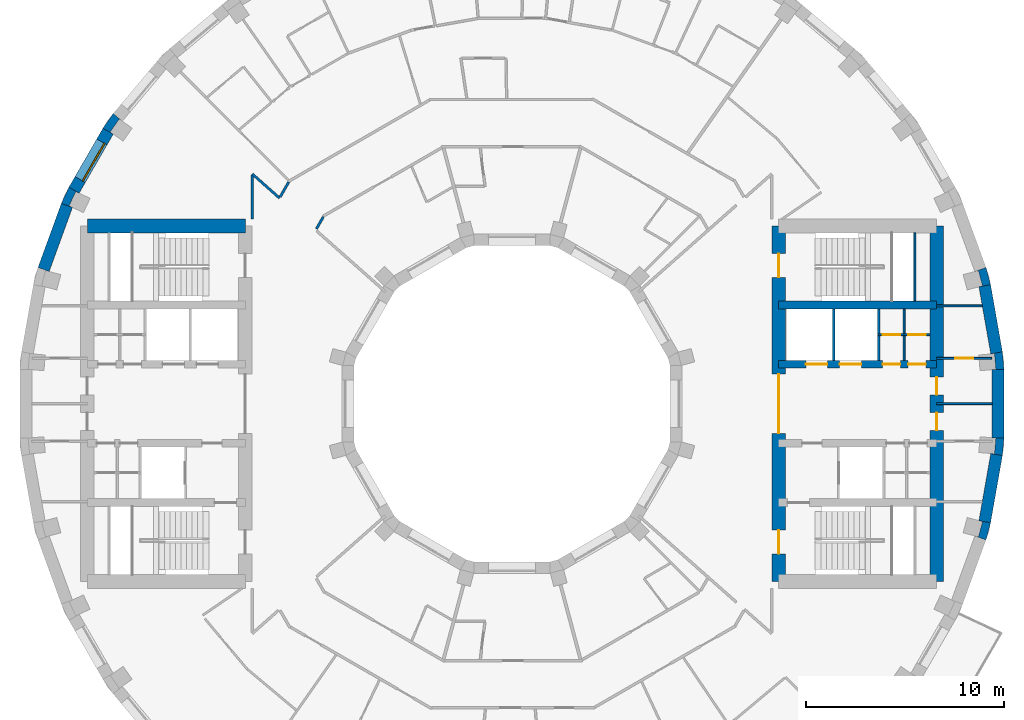
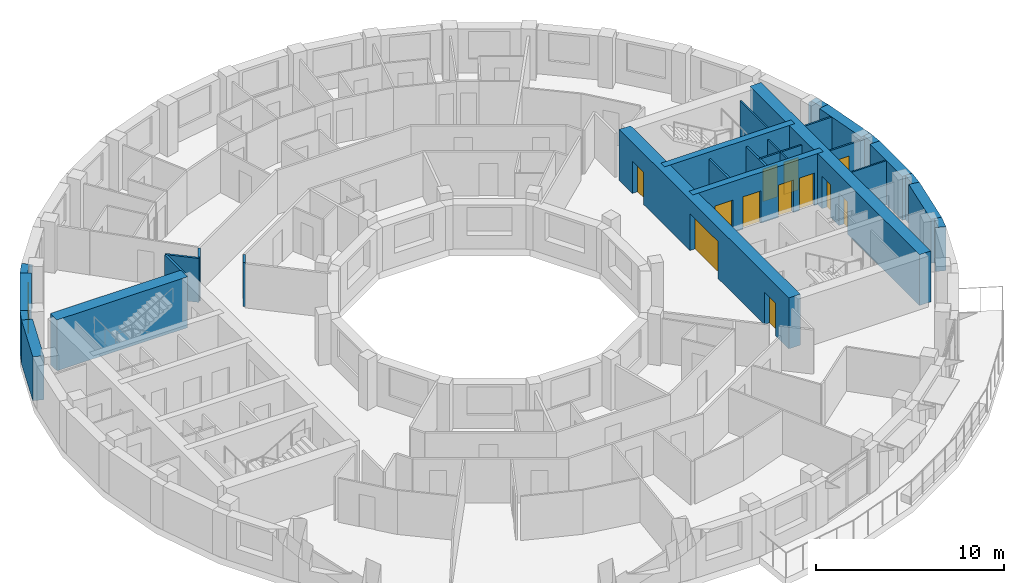
# One storey, part 10 of 15: 29 walls, 12 doors, 1 window, 13 openings.
"""IFC4 building model written with IfcOpenShell, lengths in metres."""

from ifc_helpers import new_model, si_unit, direction, frame, frame_2d, origin, place, context, subcontext, project, spatial, polyline, rectangle, outline, extrude, material, layer, layer_set, type_object, element, fill, save


model = new_model("IFC4")

# Units and contexts
model_context = context("Model", 3, precision=1e-05, world=origin(), true_north=direction((0.0, 1.0)))
body_context = subcontext(model_context, "Body", "Model", "MODEL_VIEW")
ifc_project = project(units=[si_unit("LENGTHUNIT", "METRE"), si_unit("AREAUNIT", "SQUARE_METRE"), si_unit("VOLUMEUNIT", "CUBIC_METRE"), si_unit("PLANEANGLEUNIT", "RADIAN"), si_unit("MASSUNIT", "GRAM", prefix="KILO")], contexts=[model_context])

# Site, building, storey
site_placement = place(None, origin())
site = spatial("IfcSite", under=ifc_project, at=site_placement, CompositionType="ELEMENT")
building_placement = place(site_placement, origin())
building = spatial("IfcBuilding", under=site, at=building_placement, Name="Saqina Gate Tower", CompositionType="ELEMENT")
storey_placement = place(building_placement, frame((0.0, 0.0, 160.800048828125)))
storey = spatial("IfcBuildingStorey", under=building, at=storey_placement, Name="L45", CompositionType="ELEMENT", Elevation=160.800048828125)

# Walls
ifc_material_1 = material(Name="Brick masonry (buff)", Category="masonry")
wall_type_1 = type_object("IfcWallType", Name="BRICK PIER COPING BUFF", PredefinedType="SOLIDWALL", material=ifc_material_1)
wall_1_placement = place(storey_placement, origin())
element("IfcWall", 1, at=wall_1_placement, inside=storey, type_object=wall_type_1, Name="Pier cap L45 column 1", PredefinedType="SOLIDWALL", context=body_context, shape_type="SweptSolid", body=[
    extrude(outline(polyline([(24.90478515625, 1.724853515625), (24.825927734375, 2.6259765625), (24.235107421875, 2.521728515625), (24.421630859375, 2.5380859375), (24.491455078125, 1.7412109375), (24.304931640625, 1.724853515625), (24.90478515625, 1.724853515625)])), origin(), (0.0, 0.0, 1.0), 2.849853515625),
])
wall_2_placement = place(storey_placement, origin())
element("IfcWall", 2, at=wall_2_placement, inside=storey, type_object=wall_type_1, Name="Pier cap L45 column 2", PredefinedType="SOLIDWALL", context=body_context, shape_type="SweptSolid", body=[
    extrude(outline(polyline([(24.22705078125, 6.0234375), (23.992919921875, 6.897216796875), (23.428955078125, 6.69189453125), (23.610107421875, 6.740478515625), (23.81689453125, 5.967529296875), (23.635986328125, 5.919189453125), (24.22705078125, 6.0234375)])), origin(), (0.0, 0.0, 1.0), 2.849853515625),
])
wall_3_placement = place(storey_placement, origin())
element("IfcWall", 3, at=wall_3_placement, inside=storey, type_object=wall_type_1, Name="Pier cap L45 column 15", PredefinedType="SOLIDWALL", context=body_context, shape_type="SweptSolid", body=[
    extrude(outline(polyline([(-20.18701171875, 14.687255859375), (-20.705810546875, 13.9462890625), (-20.186279296875, 13.646240234375), (-20.339599609375, 13.753662109375), (-19.880859375, 14.408935546875), (-19.727294921875, 14.301513671875), (-20.18701171875, 14.687255859375)])), origin(), (0.0, 0.0, 1.0), 2.849853515625),
])
wall_4_placement = place(storey_placement, origin())
element("IfcWall", 4, at=wall_4_placement, inside=storey, type_object=wall_type_1, Name="Pier cap L45 column 16", PredefinedType="SOLIDWALL", context=body_context, shape_type="SweptSolid", body=[
    extrude(outline(polyline([(-22.81298828125, 10.138916015625), (-22.249267578125, 9.93359375), (-22.4189453125, 10.0126953125), (-22.080810546875, 10.73779296875), (-21.9111328125, 10.65869140625), (-22.4306640625, 10.958740234375), (-22.81298828125, 10.138916015625)])), origin(), (0.0, 0.0, 1.0), 2.849853515625),
])
wall_5_placement = place(storey_placement, origin())
element("IfcWall", 5, at=wall_5_placement, inside=storey, type_object=wall_type_1, Name="Pier cap L45 column 35", PredefinedType="SOLIDWALL", context=body_context, shape_type="SweptSolid", body=[
    extrude(outline(polyline([(24.22705078125, -6.0234375), (23.635986328125, -5.919189453125), (23.81689453125, -5.967529296875), (23.610107421875, -6.740478515625), (23.428955078125, -6.69189453125), (23.992919921875, -6.897216796875), (24.22705078125, -6.0234375)])), origin(), (0.0, 0.0, 1.0), 2.849853515625),
])
wall_6_placement = place(storey_placement, origin())
element("IfcWall", 6, at=wall_6_placement, inside=storey, type_object=wall_type_1, Name="Pier cap L45 column 36", PredefinedType="SOLIDWALL", context=body_context, shape_type="SweptSolid", body=[
    extrude(outline(polyline([(24.825927734375, -2.6259765625), (24.90478515625, -1.724853515625), (24.304931640625, -1.724853515625), (24.491455078125, -1.7412109375), (24.421630859375, -2.5380859375), (24.235107421875, -2.521728515625), (24.825927734375, -2.6259765625)])), origin(), (0.0, 0.0, 1.0), 2.849853515625),
])
ifc_material_2 = material(Name="Gypsum board on steel studs", Category="steel")
ifc_layer_1 = layer(ifc_material_2, 0.10009765625)
ifc_layer_set_1 = layer_set([ifc_layer_1], Name="CORE PARTITION")
wall_type_2 = type_object("IfcWallType", Name="CORE PARTITION", PredefinedType="PARTITIONING", material=ifc_layer_set_1)
wall_7_placement = place(storey_placement, frame((21.5, 4.949951171875, 0.0), z_axis=(0.0, 0.0, 1.0), x_axis=(1.0, 0.0, 0.0)))
element("IfcWall", 7, at=wall_7_placement, inside=storey, type_object=wall_type_2, Name="L45-CP-E01", PredefinedType="PARTITIONING", context=body_context, shape_type="SweptSolid", body=[
    extrude(rectangle(XDim=2.306884765625, YDim=0.10009765625, at=frame_2d((1.1533203125, 0.0))), origin(), (0.0, 0.0, 1.0), 2.849853515625),
])

# Wall, opening, door
wall_8_placement = place(storey_placement, frame((21.5, 2.300048828125, 0.0), z_axis=(0.0, 0.0, 1.0), x_axis=(1.0, 0.0, 0.0)))
wall_8 = element("IfcWall", 8, at=wall_8_placement, inside=storey, type_object=wall_type_2, Name="L45-CP-E02", PredefinedType="PARTITIONING", context=body_context, shape_type="SweptSolid", body=[
    extrude(rectangle(XDim=2.774169921875, YDim=0.10009765625, at=frame_2d((1.38720703125, 0.0))), origin(), (0.0, 0.0, 1.0), 2.849853515625),
])
opening_1_placement = place(wall_8_placement, frame((0.93701171875, 0.0, 0.0)))
opening_1 = element("IfcOpeningElement", 9, at=opening_1_placement, cuts=wall_8, Name="Opening G13-D95", PredefinedType="OPENING", context=body_context, shape_type="SweptSolid", body=[
    extrude(rectangle(XDim=0.89990234375, YDim=2.10009765625, at=frame_2d((0.449951171875, 1.050048828125))), frame((0.0, 0.06201171875, 0.0), z_axis=(0.0, -1.0, 0.0), x_axis=(1.0, 0.0, 0.0)), (0.0, 0.0, 1.0), 0.1240234375),
])
ifc_material_3 = material(Name="Steel-framed fire door leaf, EI 60", Category="steel")
door_type_1 = type_object("IfcDoorType", Name="SERVICE ROOM DOOR 900", OperationType="SINGLE_SWING_LEFT", PredefinedType="DOOR", material=ifc_material_3)
door_1_placement = place(opening_1_placement, origin())
door_1 = element("IfcDoor", 10, at=door_1_placement, inside=storey, type_object=door_type_1, Name="L45-CD-E06", OperationType="SINGLE_SWING_LEFT", OverallHeight=2.10009765625, OverallWidth=0.89990234375, PredefinedType="DOOR", context=body_context, shape_type="SweptSolid", body=[
    extrude(rectangle(XDim=0.89990234375, YDim=2.10009765625, at=frame_2d((0.449951171875, 1.050048828125))), frame((0.0, 0.02490234375, 0.0), z_axis=(0.0, -1.0, 0.0), x_axis=(1.0, 0.0, 0.0)), (0.0, 0.0, 1.0), 0.050048828125),
])
fill(opening_1, door_1)

# Walls
wall_9_placement = place(storey_placement, frame((21.5, 0.0, 0.0), z_axis=(0.0, 0.0, 1.0), x_axis=(1.0, 0.0, 0.0)))
element("IfcWall", 11, at=wall_9_placement, inside=storey, type_object=wall_type_2, Name="L45-CP-E05", PredefinedType="PARTITIONING", context=body_context, shape_type="SweptSolid", body=[
    extrude(rectangle(XDim=2.804931640625, YDim=0.10009765625, at=frame_2d((1.40234375, 0.0))), origin(), (0.0, 0.0, 1.0), 2.849853515625),
])
wall_10_placement = place(storey_placement, frame((19.85498046875, 2.199951171875, 0.0), z_axis=(0.0, 0.0, 1.0), x_axis=(0.0, 1.0, 0.0)))
element("IfcWall", 12, at=wall_10_placement, inside=storey, type_object=wall_type_2, Name="L45-CP-E08", PredefinedType="PARTITIONING", context=body_context, shape_type="SweptSolid", body=[
    extrude(rectangle(XDim=2.60009765625, YDim=0.10009765625, at=frame_2d((1.300048828125, 0.0))), origin(), (0.0, 0.0, 1.0), 2.849853515625),
])

# Wall, opening, door
wall_11_placement = place(storey_placement, frame((18.56005859375, 3.5, 0.0), z_axis=(0.0, 0.0, 1.0), x_axis=(1.0, 0.0, 0.0)))
wall_11 = element("IfcWall", 13, at=wall_11_placement, inside=storey, type_object=wall_type_2, Name="L45-CP-E12", PredefinedType="PARTITIONING", context=body_context, shape_type="SweptSolid", body=[
    extrude(rectangle(XDim=1.294921875, YDim=0.10009765625, at=frame_2d((0.6474609375, 0.0))), origin(), (0.0, 0.0, 1.0), 2.849853515625),
])
opening_2_placement = place(wall_11_placement, frame((0.197509765625, 0.0, 0.0)))
opening_2 = element("IfcOpeningElement", 14, at=opening_2_placement, cuts=wall_11, Name="Opening G13-D99", PredefinedType="OPENING", context=body_context, shape_type="SweptSolid", body=[
    extrude(rectangle(XDim=0.89990234375, YDim=2.10009765625, at=frame_2d((0.449951171875, 1.050048828125))), frame((0.0, 0.06201171875, 0.0), z_axis=(0.0, -1.0, 0.0), x_axis=(1.0, 0.0, 0.0)), (0.0, 0.0, 1.0), 0.1240234375),
])
door_2_placement = place(opening_2_placement, origin())
door_2 = element("IfcDoor", 15, at=door_2_placement, inside=storey, type_object=door_type_1, Name="L45-CD-E10", OperationType="SINGLE_SWING_LEFT", OverallHeight=2.10009765625, OverallWidth=0.89990234375, PredefinedType="DOOR", context=body_context, shape_type="SweptSolid", body=[
    extrude(rectangle(XDim=0.89990234375, YDim=2.10009765625, at=frame_2d((0.449951171875, 1.050048828125))), frame((0.0, 0.02490234375, 0.0), z_axis=(0.0, -1.0, 0.0), x_axis=(1.0, 0.0, 0.0)), (0.0, 0.0, 1.0), 0.050048828125),
])
fill(opening_2, door_2)

wall_12_placement = place(storey_placement, frame((19.85498046875, 3.5, 0.0), z_axis=(0.0, 0.0, 1.0), x_axis=(1.0, 0.0, 0.0)))
wall_12 = element("IfcWall", 16, at=wall_12_placement, inside=storey, type_object=wall_type_2, Name="L45-CP-E13", PredefinedType="PARTITIONING", context=body_context, shape_type="SweptSolid", body=[
    extrude(rectangle(XDim=1.294921875, YDim=0.10009765625, at=frame_2d((0.6474609375, 0.0))), origin(), (0.0, 0.0, 1.0), 2.849853515625),
])
opening_3_placement = place(wall_12_placement, frame((0.197509765625, 0.0, 0.0)))
opening_3 = element("IfcOpeningElement", 17, at=opening_3_placement, cuts=wall_12, Name="Opening G13-D100", PredefinedType="OPENING", context=body_context, shape_type="SweptSolid", body=[
    extrude(rectangle(XDim=0.89990234375, YDim=2.10009765625, at=frame_2d((0.449951171875, 1.050048828125))), frame((0.0, 0.06201171875, 0.0), z_axis=(0.0, -1.0, 0.0), x_axis=(1.0, 0.0, 0.0)), (0.0, 0.0, 1.0), 0.1240234375),
])
door_3_placement = place(opening_3_placement, origin())
door_3 = element("IfcDoor", 18, at=door_3_placement, inside=storey, type_object=door_type_1, Name="L45-CD-E11", OperationType="SINGLE_SWING_RIGHT", OverallHeight=2.10009765625, OverallWidth=0.89990234375, PredefinedType="DOOR", context=body_context, shape_type="SweptSolid", body=[
    extrude(rectangle(XDim=0.89990234375, YDim=2.10009765625, at=frame_2d((0.449951171875, 1.050048828125))), frame((0.0, 0.02490234375, 0.0), z_axis=(0.0, -1.0, 0.0), x_axis=(1.0, 0.0, 0.0)), (0.0, 0.0, 1.0), 0.050048828125),
])
fill(opening_3, door_3)

# Wall, opening, window
ifc_material_4 = material(Name="Brick masonry (buff)", Category="masonry")
ifc_layer_2 = layer(ifc_material_4, 0.60009765625)
ifc_layer_set_2 = layer_set([ifc_layer_2], Name="FW-BRICK-BUFF")
wall_type_3 = type_object("IfcWallType", Name="FW-BRICK-BUFF", PredefinedType="SOLIDWALL", material=ifc_layer_set_2)
wall_13_placement = place(storey_placement, frame((-20.446044921875, 13.796142578125, 0.0), z_axis=(0.0, 0.0, 1.0), x_axis=(-0.499998129301, -0.86602648383, 0.0)))
wall_13 = element("IfcWall", 19, at=wall_13_placement, inside=storey, type_object=wall_type_3, Name="Facade wall L45 facet 15", PredefinedType="SOLIDWALL", context=body_context, shape_type="SweptSolid", body=[
    extrude(rectangle(XDim=3.44970703125, YDim=0.60009765625, at=frame_2d((1.724853515625, 0.0))), origin(), (0.0, 0.0, 1.0), 2.849853515625),
])
opening_4_placement = place(wall_13_placement, frame((0.625, 0.0, 0.89990234375)))
opening_4 = element("IfcOpeningElement", 20, at=opening_4_placement, cuts=wall_13, Name="Opening G13-W13", PredefinedType="OPENING", context=body_context, shape_type="SweptSolid", body=[
    extrude(rectangle(XDim=2.199951171875, YDim=1.800048828125, at=frame_2d((1.10009765625, 0.89990234375))), frame((0.0, 0.31201171875, 0.0), z_axis=(0.0, -1.0, 0.0), x_axis=(1.0, 0.0, 0.0)), (0.0, 0.0, 1.0), 0.6240234375),
])
ifc_material_5 = material(Name="Aluminium glazing", Category="aluminium")
window_type = type_object("IfcWindowType", Name="WN-C", PartitioningType="SINGLE_PANEL", PredefinedType="WINDOW", material=ifc_material_5)
window_placement = place(opening_4_placement, origin())
window = element("IfcWindow", 21, at=window_placement, inside=storey, type_object=window_type, Name="Window L45 facet 15", OverallHeight=1.800048828125, OverallWidth=2.199951171875, PartitioningType="SINGLE_PANEL", PredefinedType="WINDOW", context=body_context, shape_type="SweptSolid", body=[
    extrude(rectangle(XDim=2.199951171875, YDim=1.800048828125, at=frame_2d((1.10009765625, 0.89990234375))), frame((0.0, 0.179931640625, 0.0), z_axis=(0.0, -1.0, 0.0), x_axis=(1.0, 0.0, 0.0)), (0.0, 0.0, 1.0), 0.06005859375),
])
fill(opening_4, window)

# Walls
ifc_material_6 = material(Name="Glazed ceramic tile", Category="ceramic")
ifc_layer_3 = layer(ifc_material_6, 0.60009765625)
ifc_layer_set_3 = layer_set([ifc_layer_3], Name="FW-TILE")
wall_type_4 = type_object("IfcWallType", Name="FW-TILE", PredefinedType="SOLIDWALL", material=ifc_layer_set_3)
for number, where, z_axis, x_axis, name in (
    (22, (-22.531005859375, 10.0361328125, 0.0), (0.0, 0.0, 1.0), (-0.342032843455, -0.93968799822, 0.0), "Facade wall L45 facet 16"),
    (23, (24.60498046875, -1.724853515625, 0.0), (0.0, 0.0, 1.0), (0.0, 1.0, 0.0), "Facade wall L45 facet 36"),
):
    element("IfcWall", number, at=place(storey_placement, frame(where, z_axis=z_axis, x_axis=x_axis)), inside=storey, type_object=wall_type_4, Name=name, PredefinedType="SOLIDWALL", context=body_context, shape_type="SweptSolid", body=[
        extrude(rectangle(XDim=3.44970703125, YDim=0.60009765625, at=frame_2d((1.724853515625, 0.0))), origin(), (0.0, 0.0, 1.0), 2.849853515625),
    ])
ifc_material_7 = material(Name="Glazed ceramic tile (dark blue)", Category="ceramic")
ifc_layer_4 = layer(ifc_material_7, 0.60009765625)
ifc_layer_set_4 = layer_set([ifc_layer_4], Name="FW-TILE-CB")
wall_type_5 = type_object("IfcWallType", Name="FW-TILE-CB", PredefinedType="SOLIDWALL", material=ifc_layer_set_4)
wall_14_placement = place(storey_placement, frame((24.530517578125, 2.573974609375, 0.0), z_axis=(0.0, 0.0, 1.0), x_axis=(-0.173607684551, 0.984814892183, 0.0)))
element("IfcWall", 24, at=wall_14_placement, inside=storey, type_object=wall_type_5, Name="Facade wall L45 facet 1", PredefinedType="SOLIDWALL", context=body_context, shape_type="SweptSolid", body=[
    extrude(rectangle(XDim=3.44970703125, YDim=0.60009765625, at=frame_2d((1.724853515625, 0.0))), origin(), (0.0, 0.0, 1.0), 2.849853515625),
])
ifc_material_8 = material(Name="Glazed ceramic tile (white)", Category="ceramic")
ifc_layer_5 = layer(ifc_material_8, 0.60009765625)
ifc_layer_set_5 = layer_set([ifc_layer_5], Name="FW-TILE-WH")
wall_type_6 = type_object("IfcWallType", Name="FW-TILE-WH", PredefinedType="SOLIDWALL", material=ifc_layer_set_5)
wall_15_placement = place(storey_placement, frame((23.931640625, -5.97119140625, 0.0), z_axis=(0.0, 0.0, 1.0), x_axis=(0.173607684551, 0.984814892183, 0.0)))
element("IfcWall", 25, at=wall_15_placement, inside=storey, type_object=wall_type_6, Name="Facade wall L45 facet 35", PredefinedType="SOLIDWALL", context=body_context, shape_type="SweptSolid", body=[
    extrude(rectangle(XDim=3.44970703125, YDim=0.60009765625, at=frame_2d((1.724853515625, 0.0))), origin(), (0.0, 0.0, 1.0), 2.849853515625),
])
ifc_material_9 = material(Name="Gypsum board on steel studs, 125 mm, fire rated", Category="steel")
ifc_layer_6 = layer(ifc_material_9, 0.125)
ifc_layer_set_6 = layer_set([ifc_layer_6], Name="PARTITION EI 30 125")
wall_type_7 = type_object("IfcWallType", Name="PARTITION EI 30 125", PredefinedType="PARTITIONING", material=ifc_layer_set_6)
wall_16_placement = place(storey_placement, frame((-13.14990234375, 11.634033203125, 0.0), z_axis=(0.0, 0.0, 1.0), x_axis=(0.748920683101, -0.662659649008, 0.0)))
element("IfcWall", 26, at=wall_16_placement, inside=storey, type_object=wall_type_7, Name="PARTITION PW1-06", PredefinedType="PARTITIONING", context=body_context, shape_type="SweptSolid", body=[
    extrude(rectangle(XDim=1.842529296875, YDim=0.125, at=frame_2d((0.92138671875, 0.0))), origin(), (0.0, 0.0, 1.0), 2.849853515625),
])
wall_17_placement = place(storey_placement, frame((-9.90478515625, 8.84521484375, 0.0), z_axis=(0.0, 0.0, 1.0), x_axis=(0.499821239653, 0.866128586522, 0.0)))
element("IfcWall", 27, at=wall_17_placement, inside=storey, type_object=wall_type_7, Name="PARTITION PW1-35", PredefinedType="PARTITIONING", context=body_context, shape_type="SweptSolid", body=[
    extrude(rectangle(XDim=0.713134765625, YDim=0.125, at=frame_2d((0.3564453125, 0.0))), origin(), (0.0, 0.0, 1.0), 2.849853515625),
])
wall_18_placement = place(storey_placement, frame((-11.73681640625, 10.466064453125, 0.0), z_axis=(0.0, 0.0, 1.0), x_axis=(0.49949531882, 0.866316585595, 0.0)))
element("IfcWall", 28, at=wall_18_placement, inside=storey, type_object=wall_type_7, Name="PARTITION PW1-36", PredefinedType="PARTITIONING", context=body_context, shape_type="SweptSolid", body=[
    extrude(rectangle(XDim=0.86865234375, YDim=0.125, at=frame_2d((0.434326171875, 0.0))), origin(), (0.0, 0.0, 1.0), 2.849853515625),
])
wall_19_placement = place(storey_placement, frame((-13.14990234375, 9.35009765625, 0.0), z_axis=(0.0, 0.0, 1.0), x_axis=(0.0, 1.0, 0.0)))
element("IfcWall", 29, at=wall_19_placement, inside=storey, type_object=wall_type_7, Name="PARTITION PW1-41", PredefinedType="PARTITIONING", context=body_context, shape_type="SweptSolid", body=[
    extrude(rectangle(XDim=2.221435546875, YDim=0.125, at=frame_2d((1.11083984375, 0.0))), origin(), (0.0, 0.0, 1.0), 2.849853515625),
])
ifc_material_10 = material(Name="Autoclaved aerated concrete block", Category="concrete")
ifc_layer_7 = layer(ifc_material_10, 0.1201171875)
ifc_layer_set_7 = layer_set([ifc_layer_7], Name="SHAFT PARTITION")
wall_type_8 = type_object("IfcWallType", Name="SHAFT PARTITION", PredefinedType="PARTITIONING", material=ifc_layer_set_7)
for number, where, z_axis, x_axis, name in (
    (30, (16.280029296875, 2.199951171875, 0.0), (0.0, 0.0, 1.0), (0.0, 1.0, 0.0), "L45-CP-E06"),
    (31, (18.56005859375, 2.199951171875, 0.0), (0.0, 0.0, 1.0), (0.0, 1.0, 0.0), "L45-CP-E07"),
):
    element("IfcWall", number, at=place(storey_placement, frame(where, z_axis=z_axis, x_axis=x_axis)), inside=storey, type_object=wall_type_8, Name=name, PredefinedType="PARTITIONING", context=body_context, shape_type="SweptSolid", body=[
        extrude(rectangle(XDim=2.60009765625, YDim=0.1201171875, at=frame_2d((1.300048828125, 0.0))), origin(), (0.0, 0.0, 1.0), 2.849853515625),
    ])
ifc_material_11 = material(Name="Autoclaved aerated concrete block", Category="concrete")
ifc_layer_8 = layer(ifc_material_11, 0.10009765625)
ifc_layer_set_8 = layer_set([ifc_layer_8], Name="STAIR ENCLOSURE WALL")
wall_type_9 = type_object("IfcWallType", Name="STAIR ENCLOSURE WALL", PredefinedType="PARTITIONING", material=ifc_layer_set_8)
wall_20_placement = place(storey_placement, frame((20.389892578125, 5.199951171875, 0.0), z_axis=(0.0, 0.0, 1.0), x_axis=(0.0, 1.0, 0.0)))
element("IfcWall", 32, at=wall_20_placement, inside=storey, type_object=wall_type_9, Name="L45-CP-E16", PredefinedType="PARTITIONING", context=body_context, shape_type="SweptSolid", body=[
    extrude(rectangle(XDim=3.449951171875, YDim=0.10009765625, at=frame_2d((1.72509765625, 0.0))), origin(), (0.0, 0.0, 1.0), 2.849853515625),
])
ifc_material_12 = material(Name="Concrete C60/75", Category="concrete")
ifc_layer_9 = layer(ifc_material_12, 0.39990234375)
ifc_layer_set_9 = layer_set([ifc_layer_9], Name="Concrete C60/75")
wall_type_10 = type_object("IfcWallType", Name="STR-CORE WALL-C-I", PredefinedType="SHEAR", material=ifc_layer_set_9)
wall_21_placement = place(storey_placement, frame((13.5, 5.0, 0.0), z_axis=(0.0, 0.0, 1.0), x_axis=(1.0, 0.0, 0.0)))
element("IfcWall", 33, at=wall_21_placement, inside=storey, type_object=wall_type_10, Name="CORE WALL L45 E-X1", PredefinedType="SHEAR", context=body_context, shape_type="SweptSolid", body=[
    extrude(rectangle(XDim=8.0, YDim=0.39990234375, at=frame_2d((4.0, 0.0))), origin(), (0.0, 0.0, 1.0), 3.300048828125),
])

# Wall, openings, doors
wall_22_placement = place(storey_placement, frame((13.5, 2.0, 0.0), z_axis=(0.0, 0.0, 1.0), x_axis=(1.0, 0.0, 0.0)))
wall_22 = element("IfcWall", 34, at=wall_22_placement, inside=storey, type_object=wall_type_10, Name="CORE WALL L45 E-L1", PredefinedType="SHEAR", context=body_context, shape_type="SweptSolid", body=[
    extrude(rectangle(XDim=8.0, YDim=0.39990234375, at=frame_2d((4.0, 0.0))), origin(), (0.0, 0.0, 1.0), 3.300048828125),
])
opening_5_placement = place(wall_22_placement, frame((1.3701171875, 0.0, 0.0)))
opening_5 = element("IfcOpeningElement", 35, at=opening_5_placement, cuts=wall_22, Name="Opening G13-LD1", PredefinedType="OPENING", context=body_context, shape_type="SweptSolid", body=[
    extrude(rectangle(XDim=1.10009765625, YDim=2.10009765625, at=frame_2d((0.550048828125, 1.050048828125))), frame((0.0, 0.2119140625, 0.0), z_axis=(0.0, -1.0, 0.0), x_axis=(1.0, 0.0, 0.0)), (0.0, 0.0, 1.0), 0.423828125),
])
opening_6_placement = place(wall_22_placement, frame((3.090087890625, 0.0, 0.0)))
opening_6 = element("IfcOpeningElement", 36, at=opening_6_placement, cuts=wall_22, Name="Opening G13-LD2", PredefinedType="OPENING", context=body_context, shape_type="SweptSolid", body=[
    extrude(rectangle(XDim=1.10009765625, YDim=2.10009765625, at=frame_2d((0.550048828125, 1.050048828125))), frame((0.0, 0.2119140625, 0.0), z_axis=(0.0, -1.0, 0.0), x_axis=(1.0, 0.0, 0.0)), (0.0, 0.0, 1.0), 0.423828125),
])
opening_7_placement = place(wall_22_placement, frame((5.257568359375, 0.0, 0.0)))
opening_7 = element("IfcOpeningElement", 37, at=opening_7_placement, cuts=wall_22, Name="Opening G13-D90", PredefinedType="OPENING", context=body_context, shape_type="SweptSolid", body=[
    extrude(rectangle(XDim=0.89990234375, YDim=2.10009765625, at=frame_2d((0.449951171875, 1.050048828125))), frame((0.0, 0.2119140625, 0.0), z_axis=(0.0, -1.0, 0.0), x_axis=(1.0, 0.0, 0.0)), (0.0, 0.0, 1.0), 0.423828125),
])
opening_8_placement = place(wall_22_placement, frame((6.552490234375, 0.0, 0.0)))
opening_8 = element("IfcOpeningElement", 38, at=opening_8_placement, cuts=wall_22, Name="Opening G13-D91", PredefinedType="OPENING", context=body_context, shape_type="SweptSolid", body=[
    extrude(rectangle(XDim=0.89990234375, YDim=2.10009765625, at=frame_2d((0.449951171875, 1.050048828125))), frame((0.0, 0.2119140625, 0.0), z_axis=(0.0, -1.0, 0.0), x_axis=(1.0, 0.0, 0.0)), (0.0, 0.0, 1.0), 0.423828125),
])
ifc_material_13 = material(Name="Stainless steel", Category="steel")
door_type_2 = type_object("IfcDoorType", Name="LANDING DOOR", OperationType="DOUBLE_DOOR_SLIDING", PredefinedType="DOOR", material=ifc_material_13)
door_4_placement = place(opening_5_placement, origin())
door_4 = element("IfcDoor", 39, at=door_4_placement, inside=storey, type_object=door_type_2, Name="LANDING DOOR HR1", OperationType="DOUBLE_DOOR_SLIDING", OverallHeight=2.10009765625, OverallWidth=1.10009765625, PredefinedType="DOOR", context=body_context, shape_type="SweptSolid", body=[
    extrude(rectangle(XDim=1.10009765625, YDim=2.10009765625, at=frame_2d((0.550048828125, 1.050048828125))), frame((0.0, 0.02490234375, 0.0), z_axis=(0.0, -1.0, 0.0), x_axis=(1.0, 0.0, 0.0)), (0.0, 0.0, 1.0), 0.050048828125),
])
fill(opening_5, door_4)
door_5_placement = place(opening_6_placement, origin())
door_5 = element("IfcDoor", 40, at=door_5_placement, inside=storey, type_object=door_type_2, Name="LANDING DOOR HR2", OperationType="DOUBLE_DOOR_SLIDING", OverallHeight=2.10009765625, OverallWidth=1.10009765625, PredefinedType="DOOR", context=body_context, shape_type="SweptSolid", body=[
    extrude(rectangle(XDim=1.10009765625, YDim=2.10009765625, at=frame_2d((0.550048828125, 1.050048828125))), frame((0.0, 0.02490234375, 0.0), z_axis=(0.0, -1.0, 0.0), x_axis=(1.0, 0.0, 0.0)), (0.0, 0.0, 1.0), 0.050048828125),
])
fill(opening_6, door_5)
door_6_placement = place(opening_7_placement, origin())
door_6 = element("IfcDoor", 41, at=door_6_placement, inside=storey, type_object=door_type_1, Name="L45-CD-E01", OperationType="SINGLE_SWING_LEFT", OverallHeight=2.10009765625, OverallWidth=0.89990234375, PredefinedType="DOOR", context=body_context, shape_type="SweptSolid", body=[
    extrude(rectangle(XDim=0.89990234375, YDim=2.10009765625, at=frame_2d((0.449951171875, 1.050048828125))), frame((0.0, 0.02490234375, 0.0), z_axis=(0.0, -1.0, 0.0), x_axis=(1.0, 0.0, 0.0)), (0.0, 0.0, 1.0), 0.050048828125),
])
fill(opening_7, door_6)
door_7_placement = place(opening_8_placement, origin())
door_7 = element("IfcDoor", 42, at=door_7_placement, inside=storey, type_object=door_type_1, Name="L45-CD-E02", OperationType="SINGLE_SWING_RIGHT", OverallHeight=2.10009765625, OverallWidth=0.89990234375, PredefinedType="DOOR", context=body_context, shape_type="SweptSolid", body=[
    extrude(rectangle(XDim=0.89990234375, YDim=2.10009765625, at=frame_2d((0.449951171875, 1.050048828125))), frame((0.0, 0.02490234375, 0.0), z_axis=(0.0, -1.0, 0.0), x_axis=(1.0, 0.0, 0.0)), (0.0, 0.0, 1.0), 0.050048828125),
])
fill(opening_8, door_7)

ifc_material_14 = material(Name="Concrete C60/75", Category="concrete")
ifc_layer_10 = layer(ifc_material_14, 0.699951171875)
ifc_layer_set_10 = layer_set([ifc_layer_10], Name="Concrete C60/75")
wall_type_11 = type_object("IfcWallType", Name="STR-CORE WALL-C-O", PredefinedType="SHEAR", material=ifc_layer_set_10)
wall_23_placement = place(storey_placement, frame((13.5, -9.0, 0.0), z_axis=(0.0, 0.0, 1.0), x_axis=(0.0, 1.0, 0.0)))
wall_23 = element("IfcWall", 43, at=wall_23_placement, inside=storey, type_object=wall_type_11, Name="CORE WALL L45 E-W1", PredefinedType="SHEAR", context=body_context, shape_type="SweptSolid", body=[
    extrude(rectangle(XDim=18.0, YDim=0.699951171875, at=frame_2d((9.0, 0.0))), origin(), (0.0, 0.0, 1.0), 3.300048828125),
])
opening_9_placement = place(wall_23_placement, frame((15.39990234375, 0.0, 0.0)))
opening_9 = element("IfcOpeningElement", 44, at=opening_9_placement, cuts=wall_23, Name="Opening G13-D104", PredefinedType="OPENING", context=body_context, shape_type="SweptSolid", body=[
    extrude(rectangle(XDim=1.199951171875, YDim=2.10009765625, at=frame_2d((0.60009765625, 1.050048828125))), frame((0.0, 0.362060546875, 0.0), z_axis=(0.0, -1.0, 0.0), x_axis=(1.0, 0.0, 0.0)), (0.0, 0.0, 1.0), 0.723876953125),
])
opening_10_placement = place(wall_23_placement, frame((1.39990234375, 0.0, 0.0)))
opening_10 = element("IfcOpeningElement", 45, at=opening_10_placement, cuts=wall_23, Name="Opening G13-D105", PredefinedType="OPENING", context=body_context, shape_type="SweptSolid", body=[
    extrude(rectangle(XDim=1.199951171875, YDim=2.10009765625, at=frame_2d((0.60009765625, 1.050048828125))), frame((0.0, 0.362060546875, 0.0), z_axis=(0.0, -1.0, 0.0), x_axis=(1.0, 0.0, 0.0)), (0.0, 0.0, 1.0), 0.723876953125),
])
opening_11_placement = place(wall_23_placement, frame((7.5, 0.0, 0.0)))
opening_11 = element("IfcOpeningElement", 46, at=opening_11_placement, cuts=wall_23, Name="Opening G13-D106", PredefinedType="OPENING", context=body_context, shape_type="SweptSolid", body=[
    extrude(rectangle(XDim=3.0, YDim=2.39990234375, at=frame_2d((1.5, 1.199951171875))), frame((0.0, 0.362060546875, 0.0), z_axis=(0.0, -1.0, 0.0), x_axis=(1.0, 0.0, 0.0)), (0.0, 0.0, 1.0), 0.723876953125),
])
ifc_material_15 = material(Name="Steel", Category="steel")
door_type_3 = type_object("IfcDoorType", Name="FIRE DOOR EI 60", OperationType="SINGLE_SWING_LEFT", PredefinedType="DOOR", material=ifc_material_15)
door_8_placement = place(opening_9_placement, frame((1.199951171875, 0.0, 0.0), z_axis=(0.0, 0.0, 1.0), x_axis=(-1.0, 0.0, 0.0)))
door_8 = element("IfcDoor", 47, at=door_8_placement, inside=storey, type_object=door_type_3, Name="L45-CD-E15", OperationType="SINGLE_SWING_LEFT", OverallHeight=2.10009765625, OverallWidth=1.199951171875, PredefinedType="DOOR", context=body_context, shape_type="SweptSolid", body=[
    extrude(rectangle(XDim=1.199951171875, YDim=2.10009765625, at=frame_2d((0.60009765625, 1.050048828125))), frame((0.0, 0.02490234375, 0.0), z_axis=(0.0, -1.0, 0.0), x_axis=(1.0, 0.0, 0.0)), (0.0, 0.0, 1.0), 0.050048828125),
])
fill(opening_9, door_8)
door_9_placement = place(opening_10_placement, frame((1.199951171875, 0.0, 0.0), z_axis=(0.0, 0.0, 1.0), x_axis=(-1.0, 0.0, 0.0)))
door_9 = element("IfcDoor", 48, at=door_9_placement, inside=storey, type_object=door_type_3, Name="L45-CD-E16", OperationType="SINGLE_SWING_RIGHT", OverallHeight=2.10009765625, OverallWidth=1.199951171875, PredefinedType="DOOR", context=body_context, shape_type="SweptSolid", body=[
    extrude(rectangle(XDim=1.199951171875, YDim=2.10009765625, at=frame_2d((0.60009765625, 1.050048828125))), frame((0.0, 0.02490234375, 0.0), z_axis=(0.0, -1.0, 0.0), x_axis=(1.0, 0.0, 0.0)), (0.0, 0.0, 1.0), 0.050048828125),
])
fill(opening_10, door_9)
ifc_material_16 = material(Name="Steel and fire-resisting glass", Category="steel")
door_type_4 = type_object("IfcDoorType", Name="LOBBY SCREEN DOOR", OperationType="DOUBLE_DOOR_SLIDING", PredefinedType="DOOR", material=ifc_material_16)
door_10_placement = place(opening_11_placement, origin())
door_10 = element("IfcDoor", 49, at=door_10_placement, inside=storey, type_object=door_type_4, Name="L45-CD-E17", OperationType="DOUBLE_DOOR_SLIDING", OverallHeight=2.39990234375, OverallWidth=3.0, PredefinedType="DOOR", context=body_context, shape_type="SweptSolid", body=[
    extrude(rectangle(XDim=3.0, YDim=2.39990234375, at=frame_2d((1.5, 1.199951171875))), frame((0.0, 0.02490234375, 0.0), z_axis=(0.0, -1.0, 0.0), x_axis=(1.0, 0.0, 0.0)), (0.0, 0.0, 1.0), 0.050048828125),
])
fill(opening_11, door_10)

wall_24_placement = place(storey_placement, frame((21.5, -9.0, 0.0), z_axis=(0.0, 0.0, 1.0), x_axis=(0.0, 1.0, 0.0)))
wall_24 = element("IfcWall", 50, at=wall_24_placement, inside=storey, type_object=wall_type_11, Name="CORE WALL L45 E-W2", PredefinedType="SHEAR", context=body_context, shape_type="SweptSolid", body=[
    extrude(rectangle(XDim=18.0, YDim=0.699951171875, at=frame_2d((9.0, 0.0))), origin(), (0.0, 0.0, 1.0), 3.300048828125),
])
opening_12_placement = place(wall_24_placement, frame((9.449951171875, 0.0, 0.0)))
opening_12 = element("IfcOpeningElement", 51, at=opening_12_placement, cuts=wall_24, Name="Opening G13-D96", PredefinedType="OPENING", context=body_context, shape_type="SweptSolid", body=[
    extrude(rectangle(XDim=0.89990234375, YDim=2.10009765625, at=frame_2d((0.449951171875, 1.050048828125))), frame((0.0, 0.362060546875, 0.0), z_axis=(0.0, -1.0, 0.0), x_axis=(1.0, 0.0, 0.0)), (0.0, 0.0, 1.0), 0.723876953125),
])
opening_13_placement = place(wall_24_placement, frame((7.64990234375, 0.0, 0.0)))
opening_13 = element("IfcOpeningElement", 52, at=opening_13_placement, cuts=wall_24, Name="Opening G13-D98", PredefinedType="OPENING", context=body_context, shape_type="SweptSolid", body=[
    extrude(rectangle(XDim=0.89990234375, YDim=2.10009765625, at=frame_2d((0.449951171875, 1.050048828125))), frame((0.0, 0.362060546875, 0.0), z_axis=(0.0, -1.0, 0.0), x_axis=(1.0, 0.0, 0.0)), (0.0, 0.0, 1.0), 0.723876953125),
])
door_11_placement = place(opening_12_placement, frame((0.89990234375, 0.0, 0.0), z_axis=(0.0, 0.0, 1.0), x_axis=(-1.0, 0.0, 0.0)))
door_11 = element("IfcDoor", 53, at=door_11_placement, inside=storey, type_object=door_type_1, Name="L45-CD-E07", OperationType="SINGLE_SWING_RIGHT", OverallHeight=2.10009765625, OverallWidth=0.89990234375, PredefinedType="DOOR", context=body_context, shape_type="SweptSolid", body=[
    extrude(rectangle(XDim=0.89990234375, YDim=2.10009765625, at=frame_2d((0.449951171875, 1.050048828125))), frame((0.0, 0.02490234375, 0.0), z_axis=(0.0, -1.0, 0.0), x_axis=(1.0, 0.0, 0.0)), (0.0, 0.0, 1.0), 0.050048828125),
])
fill(opening_12, door_11)
door_12_placement = place(opening_13_placement, frame((0.89990234375, 0.0, 0.0), z_axis=(0.0, 0.0, 1.0), x_axis=(-1.0, 0.0, 0.0)))
door_12 = element("IfcDoor", 54, at=door_12_placement, inside=storey, type_object=door_type_1, Name="L45-CD-E09", OperationType="SINGLE_SWING_RIGHT", OverallHeight=2.10009765625, OverallWidth=0.89990234375, PredefinedType="DOOR", context=body_context, shape_type="SweptSolid", body=[
    extrude(rectangle(XDim=0.89990234375, YDim=2.10009765625, at=frame_2d((0.449951171875, 1.050048828125))), frame((0.0, 0.02490234375, 0.0), z_axis=(0.0, -1.0, 0.0), x_axis=(1.0, 0.0, 0.0)), (0.0, 0.0, 1.0), 0.050048828125),
])
fill(opening_13, door_12)

# Wall
wall_25_placement = place(storey_placement, frame((-13.5, 9.0, 0.0), z_axis=(0.0, 0.0, 1.0), x_axis=(-1.0, 0.0, 0.0)))
element("IfcWall", 55, at=wall_25_placement, inside=storey, type_object=wall_type_11, Name="CORE WALL L45 W-NE", PredefinedType="SHEAR", context=body_context, shape_type="SweptSolid", body=[
    extrude(rectangle(XDim=8.0, YDim=0.699951171875, at=frame_2d((4.0, 0.0))), origin(), (0.0, 0.0, 1.0), 3.300048828125),
])

save(model, "model.ifc")
